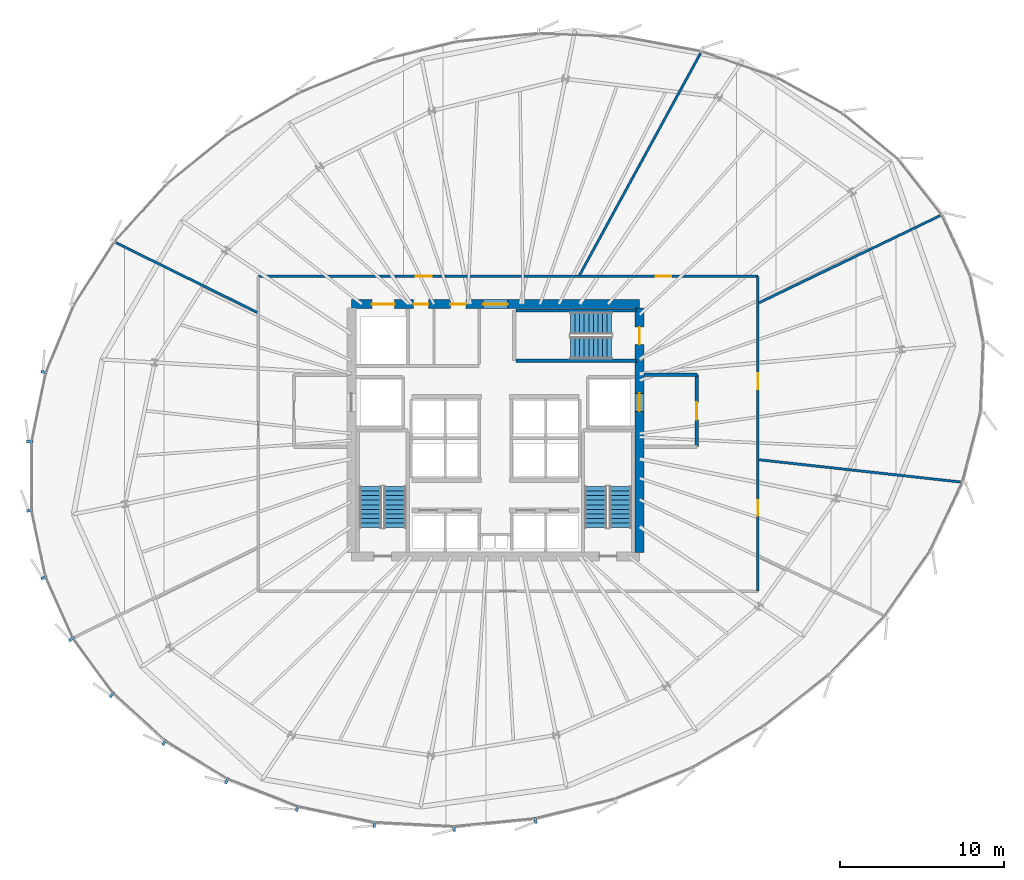
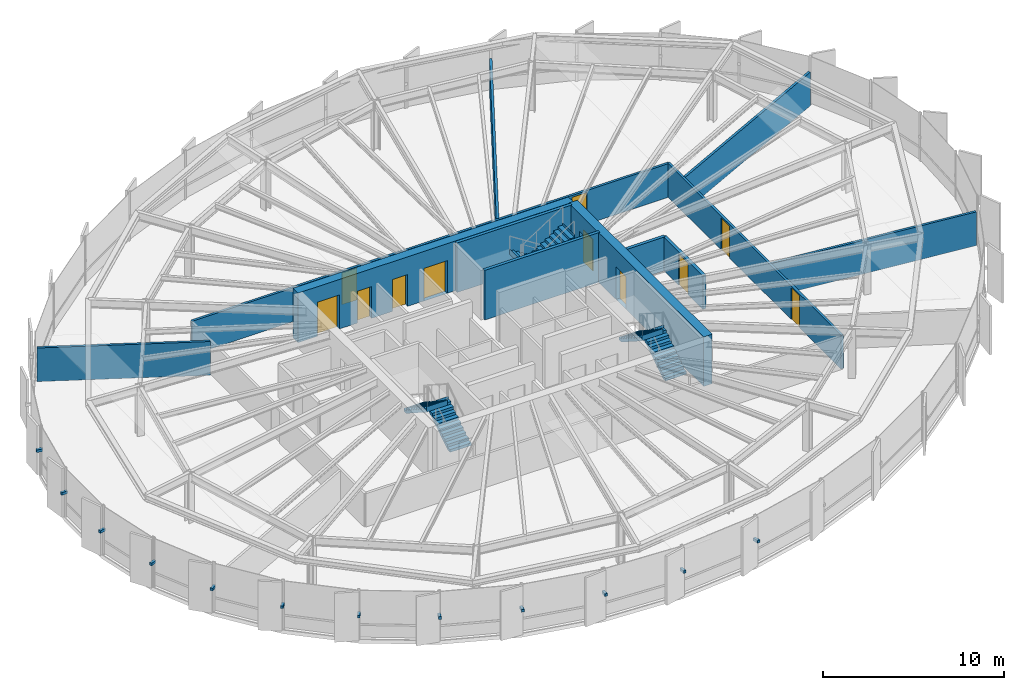
# One storey, part 30 of 35: 12 discrete accessories, 12 walls, 11 doors, 6 stair flights, 11 openings, 3 elements without a shape of their own.
"""IFC4 building model written with IfcOpenShell, lengths in metres."""

from ifc_helpers import new_model, si_unit, direction, frame, frame_2d, origin, origin_2d, place, context, subcontext, project, spatial, polyline, rectangle, outline, extrude, source, transform, mapped, material, layer, layer_set, type_object, element, fill, aggregate, save


model = new_model("IFC4")

# Units and contexts
model_context = context("Model", 3, precision=1e-05, world=origin(), true_north=direction((0.0, 1.0)))
body_context = subcontext(model_context, "Body", "Model", "MODEL_VIEW")
ifc_project = project(units=[si_unit("LENGTHUNIT", "METRE"), si_unit("AREAUNIT", "SQUARE_METRE"), si_unit("VOLUMEUNIT", "CUBIC_METRE"), si_unit("PLANEANGLEUNIT", "RADIAN"), si_unit("MASSUNIT", "GRAM", prefix="KILO"), si_unit("THERMODYNAMICTEMPERATUREUNIT", "KELVIN")], contexts=[model_context])

# Site, building, storey
site_placement = place(None, origin())
site = spatial("IfcSite", under=ifc_project, at=site_placement, CompositionType="ELEMENT")
building_placement = place(site_placement, origin())
building = spatial("IfcBuilding", under=site, at=building_placement, Name="Kethvar Cultural Tower", CompositionType="ELEMENT")
storey_placement = place(building_placement, frame((0.0, 0.0, 107.199951171875)))
storey = spatial("IfcBuildingStorey", under=building, at=storey_placement, Name="L26", CompositionType="ELEMENT", Elevation=107.199951171875)

# Wall, openings, doors
ifc_material_1 = material(Name="Concrete C60/75", Category="concrete")
ifc_layer_1 = layer(ifc_material_1, 0.550048828125, Name="Concrete C60/75", Category="concrete")
ifc_layer_set_1 = layer_set([ifc_layer_1], Name="Concrete C60/75 (550 mm)")
wall_type_1 = type_object("IfcWallType", Name="WL-CORE-550", PredefinedType="SHEAR", material=ifc_layer_set_1)
wall_1_placement = place(storey_placement, frame((55.60009765625, 35.5, 0.0), z_axis=(0.0, 0.0, 1.0), x_axis=(-1.0, 0.0, 0.0)))
wall_1 = element("IfcWall", 1, at=wall_1_placement, inside=storey, type_object=wall_type_1, Name="L26 Core Shear Wall N", PredefinedType="SHEAR", context=body_context, shape_type="SweptSolid", body=[
    extrude(rectangle(XDim=17.60009765625, YDim=0.550048828125, at=frame_2d((8.800048828125, 0.0))), origin(), (0.0, 0.0, 1.0), 3.35009765625),
])
opening_1_placement = place(wall_1_placement, frame((8.050048828125, 0.0, 0.0)))
opening_1 = element("IfcOpeningElement", 2, at=opening_1_placement, cuts=wall_1, Name="Opening D-L26-LN", PredefinedType="OPENING", context=body_context, shape_type="SweptSolid", body=[
    extrude(rectangle(XDim=1.5, YDim=2.199951171875, at=frame_2d((0.75, 1.10009765625))), frame((0.0, 0.284912109375, 0.0), z_axis=(0.0, -1.0, 0.0), x_axis=(1.0, 0.0, 0.0)), (0.0, 0.0, 1.0), 0.570068359375),
])
opening_2_placement = place(wall_1_placement, frame((14.949951171875, 0.0, 0.0)))
opening_2 = element("IfcOpeningElement", 3, at=opening_2_placement, cuts=wall_1, Name="Opening LD-G1", PredefinedType="OPENING", context=body_context, shape_type="SweptSolid", body=[
    extrude(rectangle(XDim=1.39990234375, YDim=2.300048828125, at=frame_2d((0.699951171875, 1.14990234375))), frame((0.0, 0.284912109375, 0.0), z_axis=(0.0, -1.0, 0.0), x_axis=(1.0, 0.0, 0.0)), (0.0, 0.0, 1.0), 0.570068359375),
])
opening_3_placement = place(wall_1_placement, frame((12.89990234375, 0.0, 0.0)))
opening_3 = element("IfcOpeningElement", 4, at=opening_3_placement, cuts=wall_1, Name="Opening D-L26-W1", PredefinedType="OPENING", context=body_context, shape_type="SweptSolid", body=[
    extrude(rectangle(XDim=0.89990234375, YDim=2.14990234375, at=frame_2d((0.449951171875, 1.074951171875))), frame((0.0, 0.284912109375, 0.0), z_axis=(0.0, -1.0, 0.0), x_axis=(1.0, 0.0, 0.0)), (0.0, 0.0, 1.0), 0.570068359375),
])
opening_4_placement = place(wall_1_placement, frame((10.60009765625, 0.0, 0.0)))
opening_4 = element("IfcOpeningElement", 5, at=opening_4_placement, cuts=wall_1, Name="Opening D-L26-W2", PredefinedType="OPENING", context=body_context, shape_type="SweptSolid", body=[
    extrude(rectangle(XDim=0.949951171875, YDim=2.14990234375, at=frame_2d((0.47509765625, 1.074951171875))), frame((0.0, 0.284912109375, 0.0), z_axis=(0.0, -1.0, 0.0), x_axis=(1.0, 0.0, 0.0)), (0.0, 0.0, 1.0), 0.570068359375),
])
ifc_material_2 = material(Name="Architectural Oak Timber", Category="wood")
door_type_1 = type_object("IfcDoorType", Name="DR-DBL-FD60-1500", OperationType="DOUBLE_DOOR_SINGLE_SWING", PredefinedType="DOOR", material=ifc_material_2)
shared_shape_1 = source(origin(), body_context, "Body", "SweptSolid", [
    extrude(rectangle(XDim=1.5, YDim=2.199951171875, at=frame_2d((0.75, 1.10009765625))), frame((0.0, 0.02490234375, 0.0), z_axis=(0.0, -1.0, 0.0), x_axis=(1.0, 0.0, 0.0)), (0.0, 0.0, 1.0), 0.050048828125),
])
door_1_placement = place(opening_1_placement, origin())
door_1 = element("IfcDoor", 6, at=door_1_placement, inside=storey, type_object=door_type_1, Name="L26 Lift Lobby Concourse Door", OperationType="DOUBLE_DOOR_SINGLE_SWING", OverallHeight=2.199951171875, OverallWidth=1.5, PredefinedType="DOOR", context=body_context, shape_type="MappedRepresentation", body=[
    mapped(shared_shape_1, transform((0.0, 0.0, 0.0), scale=1.0)),
])
fill(opening_1, door_1)
ifc_material_3 = material(Name="Steel S355J2", Category="steel")
door_type_2 = type_object("IfcDoorType", Name="DR-LIFT-SLIDE-1400", OperationType="NOTDEFINED", PredefinedType="DOOR", material=ifc_material_3)
shared_shape_2 = source(origin(), body_context, "Body", "SweptSolid", [
    extrude(rectangle(XDim=1.39990234375, YDim=2.300048828125, at=frame_2d((0.699951171875, 1.14990234375))), frame((0.0, 0.02490234375, 0.0), z_axis=(0.0, -1.0, 0.0), x_axis=(1.0, 0.0, 0.0)), (0.0, 0.0, 1.0), 0.050048828125),
])
door_2_placement = place(opening_2_placement, origin())
door_2 = element("IfcDoor", 7, at=door_2_placement, inside=storey, type_object=door_type_2, Name="L26 Goods Lift Landing Door", OperationType="SLIDING_TO_RIGHT", OverallHeight=2.300048828125, OverallWidth=1.39990234375, PredefinedType="DOOR", context=body_context, shape_type="MappedRepresentation", body=[
    mapped(shared_shape_2, transform((0.0, 0.0, 0.0), scale=1.0)),
])
fill(opening_2, door_2)
door_type_3 = type_object("IfcDoorType", Name="DR-FD30-950", OperationType="NOTDEFINED", PredefinedType="DOOR", material=ifc_material_2)
shared_shape_3 = source(origin(), body_context, "Body", "SweptSolid", [
    extrude(rectangle(XDim=0.949951171875, YDim=2.14990234375, at=frame_2d((0.47509765625, 1.074951171875))), frame((0.0, 0.02490234375, 0.0), z_axis=(0.0, -1.0, 0.0), x_axis=(1.0, 0.0, 0.0)), (0.0, 0.0, 1.0), 0.050048828125),
])
door_3_placement = place(opening_4_placement, origin())
door_3 = element("IfcDoor", 8, at=door_3_placement, inside=storey, type_object=door_type_3, Name="L26 Public Washroom Door", OperationType="SINGLE_SWING_RIGHT", OverallHeight=2.14990234375, OverallWidth=0.949951171875, PredefinedType="DOOR", context=body_context, shape_type="MappedRepresentation", body=[
    mapped(shared_shape_3, transform((0.0, 0.0, 0.0), scale=1.0)),
])
fill(opening_4, door_3)
door_type_4 = type_object("IfcDoorType", Name="DR-FD30-900", OperationType="NOTDEFINED", PredefinedType="DOOR", material=ifc_material_2)
shared_shape_4 = source(origin(), body_context, "Body", "SweptSolid", [
    extrude(rectangle(XDim=0.89990234375, YDim=2.14990234375, at=frame_2d((0.449951171875, 1.074951171875))), frame((0.0, 0.02490234375, 0.0), z_axis=(0.0, -1.0, 0.0), x_axis=(1.0, 0.0, 0.0)), (0.0, 0.0, 1.0), 0.050048828125),
])
door_4_placement = place(opening_3_placement, origin())
door_4 = element("IfcDoor", 9, at=door_4_placement, inside=storey, type_object=door_type_4, Name="L26 Accessible Washroom Door", OperationType="SINGLE_SWING_LEFT", OverallHeight=2.14990234375, OverallWidth=0.89990234375, PredefinedType="DOOR", context=body_context, shape_type="MappedRepresentation", body=[
    mapped(shared_shape_4, transform((0.0, 0.0, 0.0), scale=1.0)),
])
fill(opening_3, door_4)

wall_2_placement = place(storey_placement, frame((55.60009765625, 20.340087890625, 0.0), z_axis=(0.0, 0.0, 1.0), x_axis=(0.0, 1.0, 0.0)))
wall_2 = element("IfcWall", 10, at=wall_2_placement, inside=storey, type_object=wall_type_1, Name="L26 Core Shear Wall E", PredefinedType="SHEAR", context=body_context, shape_type="SweptSolid", body=[
    extrude(rectangle(XDim=14.919921875, YDim=0.550048828125, at=frame_2d((7.4599609375, 0.0))), origin(), (0.0, 0.0, 1.0), 3.35009765625),
])
opening_5_placement = place(wall_2_placement, frame((12.7099609375, 0.0, 0.0)))
opening_5 = element("IfcOpeningElement", 11, at=opening_5_placement, cuts=wall_2, Name="Opening D-L26-S3", PredefinedType="OPENING", context=body_context, shape_type="SweptSolid", body=[
    extrude(rectangle(XDim=1.050048828125, YDim=2.14990234375, at=frame_2d((0.52490234375, 1.074951171875))), frame((0.0, 0.284912109375, 0.0), z_axis=(0.0, -1.0, 0.0), x_axis=(1.0, 0.0, 0.0)), (0.0, 0.0, 1.0), 0.570068359375),
])
opening_6_placement = place(wall_2_placement, frame((8.610107421875, 0.0, 0.0)))
opening_6 = element("IfcOpeningElement", 12, at=opening_6_placement, cuts=wall_2, Name="Opening LD-2", PredefinedType="OPENING", context=body_context, shape_type="SweptSolid", body=[
    extrude(rectangle(XDim=1.10009765625, YDim=2.199951171875, at=frame_2d((0.550048828125, 1.10009765625))), frame((0.0, 0.284912109375, 0.0), z_axis=(0.0, -1.0, 0.0), x_axis=(1.0, 0.0, 0.0)), (0.0, 0.0, 1.0), 0.570068359375),
])
door_type_5 = type_object("IfcDoorType", Name="DR-FD60-1050", OperationType="NOTDEFINED", PredefinedType="DOOR", material=ifc_material_3)
shared_shape_5 = source(origin(), body_context, "Body", "SweptSolid", [
    extrude(rectangle(XDim=1.050048828125, YDim=2.14990234375, at=frame_2d((0.52490234375, 1.074951171875))), frame((0.0, 0.02490234375, 0.0), z_axis=(0.0, -1.0, 0.0), x_axis=(1.0, 0.0, 0.0)), (0.0, 0.0, 1.0), 0.050048828125),
])
door_5_placement = place(opening_5_placement, origin())
door_5 = element("IfcDoor", 13, at=door_5_placement, inside=storey, type_object=door_type_5, Name="L26 Exit Stair 3 Door", OperationType="SINGLE_SWING_LEFT", OverallHeight=2.14990234375, OverallWidth=1.050048828125, PredefinedType="DOOR", context=body_context, shape_type="MappedRepresentation", body=[
    mapped(shared_shape_5, transform((0.0, 0.0, 0.0), scale=1.0)),
])
fill(opening_5, door_5)
door_type_6 = type_object("IfcDoorType", Name="DR-LIFT-SLIDE-1100", OperationType="NOTDEFINED", PredefinedType="DOOR", material=ifc_material_3)
shared_shape_6 = source(origin(), body_context, "Body", "SweptSolid", [
    extrude(rectangle(XDim=1.10009765625, YDim=2.199951171875, at=frame_2d((0.550048828125, 1.10009765625))), frame((0.0, 0.02490234375, 0.0), z_axis=(0.0, -1.0, 0.0), x_axis=(1.0, 0.0, 0.0)), (0.0, 0.0, 1.0), 0.050048828125),
])
door_6_placement = place(opening_6_placement, origin())
door_6 = element("IfcDoor", 14, at=door_6_placement, inside=storey, type_object=door_type_6, Name="L26 Firefighting Lift Landing Door FFL-02", OperationType="SLIDING_TO_RIGHT", OverallHeight=2.199951171875, OverallWidth=1.10009765625, PredefinedType="DOOR", context=body_context, shape_type="MappedRepresentation", body=[
    mapped(shared_shape_6, transform((0.0, 0.0, 0.0), scale=1.0)),
])
fill(opening_6, door_6)

ifc_material_4 = material(Name="Gypsum Fireboard Partition")
ifc_layer_2 = layer(ifc_material_4, 0.14990234375, Name="Gypsum Fireboard Partition")
ifc_layer_set_2 = layer_set([ifc_layer_2], Name="Gypsum Fireboard Partition (150 mm)")
wall_type_2 = type_object("IfcWallType", Name="WL-FIRE-150", PredefinedType="PARTITIONING", material=ifc_layer_set_2)
wall_3_placement = place(storey_placement, frame((62.830078125, 17.97998046875, 0.0), z_axis=(0.0, 0.0, 1.0), x_axis=(0.0, 1.0, 0.0)))
wall_3 = element("IfcWall", 15, at=wall_3_placement, inside=storey, type_object=wall_type_2, Name="L26 Corridor Rated Wall E", PredefinedType="PARTITIONING", context=body_context, shape_type="SweptSolid", body=[
    extrude(rectangle(XDim=19.219970703125, YDim=0.14990234375, at=frame_2d((9.60986328125, 0.0))), origin(), (0.0, 0.0, 1.0), 2.280029296875),
])
opening_7_placement = place(wall_3_placement, frame((4.60595703125, 0.0, 0.0)))
opening_7 = element("IfcOpeningElement", 16, at=opening_7_placement, cuts=wall_3, Name="Opening D-L26-02", PredefinedType="OPENING", context=body_context, shape_type="SweptSolid", body=[
    extrude(rectangle(XDim=0.949951171875, YDim=2.14990234375, at=frame_2d((0.47509765625, 1.074951171875))), frame((0.0, 0.0849609375, 0.0), z_axis=(0.0, -1.0, 0.0), x_axis=(1.0, 0.0, 0.0)), (0.0, 0.0, 1.0), 0.169921875),
])
opening_8_placement = place(wall_3_placement, frame((12.340087890625, 0.0, 0.0)))
opening_8 = element("IfcOpeningElement", 17, at=opening_8_placement, cuts=wall_3, Name="Opening D-L26-03", PredefinedType="OPENING", context=body_context, shape_type="SweptSolid", body=[
    extrude(rectangle(XDim=0.949951171875, YDim=2.14990234375, at=frame_2d((0.47509765625, 1.074951171875))), frame((0.0, 0.0849609375, 0.0), z_axis=(0.0, -1.0, 0.0), x_axis=(1.0, 0.0, 0.0)), (0.0, 0.0, 1.0), 0.169921875),
])
door_7_placement = place(opening_7_placement, origin())
door_7 = element("IfcDoor", 18, at=door_7_placement, inside=storey, type_object=door_type_3, Name="L26 Curatorial Concierge Foyer 02 Door", OperationType="SINGLE_SWING_RIGHT", OverallHeight=2.14990234375, OverallWidth=0.949951171875, PredefinedType="DOOR", context=body_context, shape_type="MappedRepresentation", body=[
    mapped(shared_shape_3, transform((0.0, 0.0, 0.0), scale=1.0)),
])
fill(opening_7, door_7)
door_8_placement = place(opening_8_placement, origin())
door_8 = element("IfcDoor", 19, at=door_8_placement, inside=storey, type_object=door_type_3, Name="L26 Cartography Reading Library 03 Door", OperationType="SINGLE_SWING_LEFT", OverallHeight=2.14990234375, OverallWidth=0.949951171875, PredefinedType="DOOR", context=body_context, shape_type="MappedRepresentation", body=[
    mapped(shared_shape_3, transform((0.0, 0.0, 0.0), scale=1.0)),
])
fill(opening_8, door_8)

wall_4_placement = place(storey_placement, frame((62.830078125, 37.199951171875, 0.0), z_axis=(0.0, 0.0, 1.0), x_axis=(-1.0, 0.0, 0.0)))
wall_4 = element("IfcWall", 20, at=wall_4_placement, inside=storey, type_object=wall_type_2, Name="L26 Corridor Rated Wall N", PredefinedType="PARTITIONING", context=body_context, shape_type="SweptSolid", body=[
    extrude(rectangle(XDim=30.5, YDim=0.14990234375, at=frame_2d((15.25, 0.0))), origin(), (0.0, 0.0, 1.0), 2.280029296875),
])
opening_9_placement = place(wall_4_placement, frame((5.28125, 0.0, 0.0)))
opening_9 = element("IfcOpeningElement", 21, at=opening_9_placement, cuts=wall_4, Name="Opening D-L26-04", PredefinedType="OPENING", context=body_context, shape_type="SweptSolid", body=[
    extrude(rectangle(XDim=0.949951171875, YDim=2.14990234375, at=frame_2d((0.47509765625, 1.074951171875))), frame((0.0, 0.0849609375, 0.0), z_axis=(0.0, -1.0, 0.0), x_axis=(1.0, 0.0, 0.0)), (0.0, 0.0, 1.0), 0.169921875),
])
opening_10_placement = place(wall_4_placement, frame((19.931884765625, 0.0, 0.0)))
opening_10 = element("IfcOpeningElement", 22, at=opening_10_placement, cuts=wall_4, Name="Opening D-L26-05", PredefinedType="OPENING", context=body_context, shape_type="SweptSolid", body=[
    extrude(rectangle(XDim=0.949951171875, YDim=2.14990234375, at=frame_2d((0.47509765625, 1.074951171875))), frame((0.0, 0.0849609375, 0.0), z_axis=(0.0, -1.0, 0.0), x_axis=(1.0, 0.0, 0.0)), (0.0, 0.0, 1.0), 0.169921875),
])
door_9_placement = place(opening_9_placement, origin())
door_9 = element("IfcDoor", 23, at=door_9_placement, inside=storey, type_object=door_type_3, Name="L26 Hospitality Sitting Lounge 04 Door", OperationType="SINGLE_SWING_RIGHT", OverallHeight=2.14990234375, OverallWidth=0.949951171875, PredefinedType="DOOR", context=body_context, shape_type="MappedRepresentation", body=[
    mapped(shared_shape_3, transform((0.0, 0.0, 0.0), scale=1.0)),
])
fill(opening_9, door_9)
door_10_placement = place(opening_10_placement, origin())
door_10 = element("IfcDoor", 24, at=door_10_placement, inside=storey, type_object=door_type_3, Name="L26 Colloquium Seminar Room 05 Door", OperationType="SINGLE_SWING_LEFT", OverallHeight=2.14990234375, OverallWidth=0.949951171875, PredefinedType="DOOR", context=body_context, shape_type="MappedRepresentation", body=[
    mapped(shared_shape_3, transform((0.0, 0.0, 0.0), scale=1.0)),
])
fill(opening_10, door_10)

# Wall, opening, door
ifc_material_5 = material(Name="Concrete C40/50", Category="concrete")
ifc_layer_3 = layer(ifc_material_5, 0.199951171875, Name="Concrete C40/50", Category="concrete")
ifc_layer_set_3 = layer_set([ifc_layer_3], Name="Concrete C40/50 (200 mm)")
wall_type_3 = type_object("IfcWallType", Name="WL-FIRE-200", PredefinedType="PARTITIONING", material=ifc_layer_set_3)
wall_5_placement = place(storey_placement, frame((59.10009765625, 26.800048828125, 0.0), z_axis=(0.0, 0.0, 1.0), x_axis=(0.0, 1.0, 0.0)))
wall_5 = element("IfcWall", 25, at=wall_5_placement, inside=storey, type_object=wall_type_3, Name="L26 Firefighting Lobby 2 Wall", PredefinedType="PARTITIONING", context=body_context, shape_type="SweptSolid", body=[
    extrude(rectangle(XDim=4.39990234375, YDim=0.199951171875, at=frame_2d((2.199951171875, 0.0))), origin(), (0.0, 0.0, 1.0), 2.280029296875),
])
opening_11_placement = place(wall_5_placement, frame((1.64990234375, 0.0, 0.0)))
opening_11 = element("IfcOpeningElement", 26, at=opening_11_placement, cuts=wall_5, Name="Opening D-L26-F2", PredefinedType="OPENING", context=body_context, shape_type="SweptSolid", body=[
    extrude(rectangle(XDim=1.050048828125, YDim=2.14990234375, at=frame_2d((0.52490234375, 1.074951171875))), frame((0.0, 0.10986328125, 0.0), z_axis=(0.0, -1.0, 0.0), x_axis=(1.0, 0.0, 0.0)), (0.0, 0.0, 1.0), 0.219970703125),
])
door_11_placement = place(opening_11_placement, origin())
door_11 = element("IfcDoor", 27, at=door_11_placement, inside=storey, type_object=door_type_5, Name="L26 Firefighting Lobby 2 Fire Door", OperationType="SINGLE_SWING_LEFT", OverallHeight=2.14990234375, OverallWidth=1.050048828125, PredefinedType="DOOR", context=body_context, shape_type="MappedRepresentation", body=[
    mapped(shared_shape_5, transform((0.0, 0.0, 0.0), scale=1.0)),
])
fill(opening_11, door_11)

# Walls
wall_6_placement = place(storey_placement, frame((55.885009765625, 31.199951171875, 0.0), z_axis=(0.0, 0.0, 1.0), x_axis=(1.0, 0.0, 0.0)))
element("IfcWall", 28, at=wall_6_placement, inside=storey, type_object=wall_type_3, Name="L26 FF Lobby 2 North Wall", PredefinedType="PARTITIONING", context=body_context, shape_type="SweptSolid", body=[
    extrude(rectangle(XDim=3.215087890625, YDim=0.199951171875, at=frame_2d((1.607421875, 0.0))), origin(), (0.0, 0.0, 1.0), 2.280029296875),
])
ifc_material_6 = material(Name="Gypsum Acoustic Partition")
ifc_layer_4 = layer(ifc_material_6, 0.14990234375, Name="Gypsum Acoustic Partition")
ifc_layer_set_4 = layer_set([ifc_layer_4], Name="Gypsum Acoustic Partition (150 mm)")
wall_type_4 = type_object("IfcWallType", Name="WL-PART-150", PredefinedType="PARTITIONING", material=ifc_layer_set_4)
wall_7_placement = place(storey_placement, frame((62.909423828125, 25.99951171875, 0.0), z_axis=(0.0, 0.0, 1.0), x_axis=(0.993956010133, -0.109779096009, 0.0)))
element("IfcWall", 29, at=wall_7_placement, inside=storey, type_object=wall_type_4, Name="L26 Radial Partition Wall 03", PredefinedType="PARTITIONING", context=body_context, shape_type="SweptSolid", body=[
    extrude(rectangle(XDim=12.36279296875, YDim=0.14990234375, at=frame_2d((6.181396484375, 0.0))), origin(), (0.0, 0.0, 1.0), 2.280029296875),
])
wall_8_placement = place(storey_placement, frame((62.902099609375, 35.587158203125, 0.0), z_axis=(0.0, 0.0, 1.0), x_axis=(0.901117147689, 0.433575698283, 0.0)))
element("IfcWall", 30, at=wall_8_placement, inside=storey, type_object=wall_type_4, Name="L26 Radial Partition Wall 04", PredefinedType="PARTITIONING", context=body_context, shape_type="SweptSolid", body=[
    extrude(rectangle(XDim=12.269775390625, YDim=0.14990234375, at=frame_2d((6.134765625, 0.0))), origin(), (0.0, 0.0, 1.0), 2.280029296875),
])
wall_9_placement = place(storey_placement, frame((51.935791015625, 37.270263671875, 0.0), z_axis=(0.0, 0.0, 1.0), x_axis=(0.47870484944, 0.877975892108, 0.0)))
element("IfcWall", 31, at=wall_9_placement, inside=storey, type_object=wall_type_4, Name="L26 Radial Partition Wall 05", PredefinedType="PARTITIONING", context=body_context, shape_type="SweptSolid", body=[
    extrude(rectangle(XDim=15.447509765625, YDim=0.14990234375, at=frame_2d((7.7236328125, 0.0))), origin(), (0.0, 0.0, 1.0), 2.280029296875),
])
wall_10_placement = place(storey_placement, frame((32.25830078125, 34.9970703125, 0.0), z_axis=(0.0, 0.0, 1.0), x_axis=(-0.896802793209, 0.442430503121, 0.0)))
element("IfcWall", 32, at=wall_10_placement, inside=storey, type_object=wall_type_4, Name="L26 Radial Partition Wall 06", PredefinedType="PARTITIONING", context=body_context, shape_type="SweptSolid", body=[
    extrude(rectangle(XDim=9.60888671875, YDim=0.14990234375, at=frame_2d((4.804443359375, 0.0))), origin(), (0.0, 0.0, 1.0), 2.280029296875),
])
ifc_material_7 = material(Name="Concrete C50/60", Category="concrete")
ifc_layer_5 = layer(ifc_material_7, 0.199951171875, Name="Concrete C50/60", Category="concrete")
ifc_layer_set_5 = layer_set([ifc_layer_5], Name="Concrete C50/60 (200 mm)")
wall_type_5 = type_object("IfcWallType", Name="WL-STSHAFT-200", PredefinedType="SHEAR", material=ifc_layer_set_5)
for number, where, z_axis, x_axis, name in (
    (33, (48.050048828125, 35.110107421875, 0.0), (0.0, 0.0, 1.0), (1.0, 0.0, 0.0), "L26 ST-03 Stair Shaft Wall LEFT"),
    (34, (55.39990234375, 32.050048828125, 0.0), (0.0, 0.0, 1.0), (-1.0, 0.0, 0.0), "L26 ST-03 Stair Shaft Wall RIGHT"),
):
    element("IfcWall", number, at=place(storey_placement, frame(where, z_axis=z_axis, x_axis=x_axis)), inside=storey, type_object=wall_type_5, Name=name, PredefinedType="SHEAR", context=body_context, shape_type="SweptSolid", body=[
        extrude(rectangle(XDim=7.349853515625, YDim=0.199951171875, at=frame_2d((3.6748046875, 0.0))), origin(), (0.0, 0.0, 1.0), 3.35009765625),
    ])

# Stair, stair flights
stair_type = type_object("IfcStairType", Name="ST-DOGLEG-135", PredefinedType="HALF_TURN_STAIR", material=ifc_material_5)
stair_1_placement = place(storey_placement, origin())
stair_1 = element("IfcStair", 35, at=stair_1_placement, inside=storey, type_object=stair_type, Name="L26 Core Exit Stair 1", PredefinedType="HALF_TURN_STAIR")
stair_flight_type = type_object("IfcStairFlightType", Name="FL-STRAIGHT-135", PredefinedType="STRAIGHT", material=ifc_material_5)
stair_flight_1_placement = place(storey_placement, frame((40.675048828125, 21.85009765625, 0.0), z_axis=(0.0, 0.0, 1.0), x_axis=(0.0, 1.0, 0.0)))
stair_flight_1 = element("IfcStairFlight", 36, at=stair_flight_1_placement, type_object=stair_flight_type, Name="ST-01 flight 1", NumberOfRisers=10, NumberOfTreads=9, PredefinedType="STRAIGHT", RiserHeight=0.18, TreadLength=0.28, context=body_context, shape_type="SweptSolid", body=[
    extrude(outline(polyline([(-0.0009765625, -0.0009765625), (-0.0009765625, 0.179931640625), (0.280029296875, 0.179931640625), (0.280029296875, 0.360107421875), (0.56005859375, 0.360107421875), (0.56005859375, 0.5400390625), (0.840087890625, 0.5400390625), (0.840087890625, 0.719970703125), (1.1201171875, 0.719970703125), (1.1201171875, 0.89990234375), (1.39990234375, 0.89990234375), (1.39990234375, 1.080078125), (1.679931640625, 1.080078125), (1.679931640625, 1.260009765625), (1.9599609375, 1.260009765625), (1.9599609375, 1.43994140625), (2.239990234375, 1.43994140625), (2.239990234375, 1.6201171875), (2.52001953125, 1.6201171875), (2.52001953125, 1.800048828125), (2.52099609375, 1.800048828125), (2.52099609375, 1.44189453125), (0.277099609375, 0.0), (0.0, -0.0009765625), (-0.0009765625, -0.0009765625)])), frame((0.0, 0.675048828125, 0.0), z_axis=(0.0, -1.0, 0.0), x_axis=(1.0, 0.0, 0.0)), (0.0, 0.0, 1.0), 1.35009765625),
])
stair_flight_2_placement = place(storey_placement, frame((39.1650390625, 24.3701171875, 1.800048828125), z_axis=(0.0, 0.0, 1.0), x_axis=(0.0, -1.0, 0.0)))
stair_flight_2 = element("IfcStairFlight", 37, at=stair_flight_2_placement, type_object=stair_flight_type, Name="ST-01 flight 2", NumberOfRisers=10, NumberOfTreads=9, PredefinedType="STRAIGHT", RiserHeight=0.18, TreadLength=0.28, context=body_context, shape_type="SweptSolid", body=[
    extrude(outline(polyline([(-0.0009765625, -0.0009765625), (-0.0009765625, 0.179931640625), (0.280029296875, 0.179931640625), (0.280029296875, 0.360107421875), (0.56005859375, 0.360107421875), (0.56005859375, 0.5400390625), (0.840087890625, 0.5400390625), (0.840087890625, 0.719970703125), (1.1201171875, 0.719970703125), (1.1201171875, 0.89990234375), (1.39990234375, 0.89990234375), (1.39990234375, 1.080078125), (1.679931640625, 1.080078125), (1.679931640625, 1.260009765625), (1.9599609375, 1.260009765625), (1.9599609375, 1.43994140625), (2.239990234375, 1.43994140625), (2.239990234375, 1.6201171875), (2.52001953125, 1.6201171875), (2.52001953125, 1.800048828125), (2.52099609375, 1.800048828125), (2.52099609375, 1.44189453125), (0.277099609375, 0.0), (0.0, -0.0009765625), (-0.0009765625, -0.0009765625)])), frame((0.0, 0.675048828125, 0.0), z_axis=(0.0, -1.0, 0.0), x_axis=(1.0, 0.0, 0.0)), (0.0, 0.0, 1.0), 1.35009765625),
])
aggregate(stair_1, [stair_flight_1, stair_flight_2])

stair_2_placement = place(storey_placement, origin())
stair_2 = element("IfcStair", 38, at=stair_2_placement, inside=storey, type_object=stair_type, Name="L26 Core Exit Stair 2", PredefinedType="HALF_TURN_STAIR")
stair_flight_3_placement = place(storey_placement, frame((54.43505859375, 21.85009765625, 0.0), z_axis=(0.0, 0.0, 1.0), x_axis=(0.0, 1.0, 0.0)))
stair_flight_3 = element("IfcStairFlight", 39, at=stair_flight_3_placement, type_object=stair_flight_type, Name="ST-02 flight 1", NumberOfRisers=10, NumberOfTreads=9, PredefinedType="STRAIGHT", RiserHeight=0.18, TreadLength=0.28, context=body_context, shape_type="SweptSolid", body=[
    extrude(outline(polyline([(-0.0009765625, -0.0009765625), (-0.0009765625, 0.179931640625), (0.280029296875, 0.179931640625), (0.280029296875, 0.360107421875), (0.56005859375, 0.360107421875), (0.56005859375, 0.5400390625), (0.840087890625, 0.5400390625), (0.840087890625, 0.719970703125), (1.1201171875, 0.719970703125), (1.1201171875, 0.89990234375), (1.39990234375, 0.89990234375), (1.39990234375, 1.080078125), (1.679931640625, 1.080078125), (1.679931640625, 1.260009765625), (1.9599609375, 1.260009765625), (1.9599609375, 1.43994140625), (2.239990234375, 1.43994140625), (2.239990234375, 1.6201171875), (2.52001953125, 1.6201171875), (2.52001953125, 1.800048828125), (2.52099609375, 1.800048828125), (2.52099609375, 1.44189453125), (0.277099609375, 0.0), (0.0, -0.0009765625), (-0.0009765625, -0.0009765625)])), frame((0.0, 0.675048828125, 0.0), z_axis=(0.0, -1.0, 0.0), x_axis=(1.0, 0.0, 0.0)), (0.0, 0.0, 1.0), 1.35009765625),
])
stair_flight_4_placement = place(storey_placement, frame((52.925048828125, 24.3701171875, 1.800048828125), z_axis=(0.0, 0.0, 1.0), x_axis=(0.0, -1.0, 0.0)))
stair_flight_4 = element("IfcStairFlight", 40, at=stair_flight_4_placement, type_object=stair_flight_type, Name="ST-02 flight 2", NumberOfRisers=10, NumberOfTreads=9, PredefinedType="STRAIGHT", RiserHeight=0.18, TreadLength=0.28, context=body_context, shape_type="SweptSolid", body=[
    extrude(outline(polyline([(-0.0009765625, -0.0009765625), (-0.0009765625, 0.179931640625), (0.280029296875, 0.179931640625), (0.280029296875, 0.360107421875), (0.56005859375, 0.360107421875), (0.56005859375, 0.5400390625), (0.840087890625, 0.5400390625), (0.840087890625, 0.719970703125), (1.1201171875, 0.719970703125), (1.1201171875, 0.89990234375), (1.39990234375, 0.89990234375), (1.39990234375, 1.080078125), (1.679931640625, 1.080078125), (1.679931640625, 1.260009765625), (1.9599609375, 1.260009765625), (1.9599609375, 1.43994140625), (2.239990234375, 1.43994140625), (2.239990234375, 1.6201171875), (2.52001953125, 1.6201171875), (2.52001953125, 1.800048828125), (2.52099609375, 1.800048828125), (2.52099609375, 1.44189453125), (0.277099609375, 0.0), (0.0, -0.0009765625), (-0.0009765625, -0.0009765625)])), frame((0.0, 0.675048828125, 0.0), z_axis=(0.0, -1.0, 0.0), x_axis=(1.0, 0.0, 0.0)), (0.0, 0.0, 1.0), 1.35009765625),
])
aggregate(stair_2, [stair_flight_3, stair_flight_4])

stair_3_placement = place(storey_placement, origin())
stair_3 = element("IfcStair", 41, at=stair_3_placement, inside=storey, type_object=stair_type, Name="L26 Core Exit Stair 3", PredefinedType="HALF_TURN_STAIR")
stair_flight_5_placement = place(storey_placement, frame((53.89990234375, 34.3349609375, 0.0), z_axis=(0.0, 0.0, 1.0), x_axis=(-1.0, 0.0, 0.0)))
stair_flight_5 = element("IfcStairFlight", 42, at=stair_flight_5_placement, type_object=stair_flight_type, Name="ST-03 flight 1", NumberOfRisers=10, NumberOfTreads=9, PredefinedType="STRAIGHT", RiserHeight=0.18, TreadLength=0.28, context=body_context, shape_type="SweptSolid", body=[
    extrude(outline(polyline([(-0.0009765625, -0.0009765625), (-0.0009765625, 0.179931640625), (0.280029296875, 0.179931640625), (0.280029296875, 0.360107421875), (0.56005859375, 0.360107421875), (0.56005859375, 0.5400390625), (0.840087890625, 0.5400390625), (0.840087890625, 0.719970703125), (1.1201171875, 0.719970703125), (1.1201171875, 0.89990234375), (1.39990234375, 0.89990234375), (1.39990234375, 1.080078125), (1.679931640625, 1.080078125), (1.679931640625, 1.260009765625), (1.9599609375, 1.260009765625), (1.9599609375, 1.43994140625), (2.239990234375, 1.43994140625), (2.239990234375, 1.6201171875), (2.52001953125, 1.6201171875), (2.52001953125, 1.800048828125), (2.52099609375, 1.800048828125), (2.52099609375, 1.44189453125), (0.277099609375, 0.0), (0.0, -0.0009765625), (-0.0009765625, -0.0009765625)])), frame((0.0, 0.675048828125, 0.0), z_axis=(0.0, -1.0, 0.0), x_axis=(1.0, 0.0, 0.0)), (0.0, 0.0, 1.0), 1.35009765625),
])
stair_flight_6_placement = place(storey_placement, frame((51.3798828125, 32.824951171875, 1.800048828125), z_axis=(0.0, 0.0, 1.0), x_axis=(1.0, 0.0, 0.0)))
stair_flight_6 = element("IfcStairFlight", 43, at=stair_flight_6_placement, type_object=stair_flight_type, Name="ST-03 flight 2", NumberOfRisers=10, NumberOfTreads=9, PredefinedType="STRAIGHT", RiserHeight=0.18, TreadLength=0.28, context=body_context, shape_type="SweptSolid", body=[
    extrude(outline(polyline([(-0.0009765625, -0.0009765625), (-0.0009765625, 0.179931640625), (0.280029296875, 0.179931640625), (0.280029296875, 0.360107421875), (0.56005859375, 0.360107421875), (0.56005859375, 0.5400390625), (0.840087890625, 0.5400390625), (0.840087890625, 0.719970703125), (1.1201171875, 0.719970703125), (1.1201171875, 0.89990234375), (1.39990234375, 0.89990234375), (1.39990234375, 1.080078125), (1.679931640625, 1.080078125), (1.679931640625, 1.260009765625), (1.9599609375, 1.260009765625), (1.9599609375, 1.43994140625), (2.239990234375, 1.43994140625), (2.239990234375, 1.6201171875), (2.52001953125, 1.6201171875), (2.52001953125, 1.800048828125), (2.52099609375, 1.800048828125), (2.52099609375, 1.44189453125), (0.277099609375, 0.0), (0.0, -0.0009765625), (-0.0009765625, -0.0009765625)])), frame((0.0, 0.675048828125, 0.0), z_axis=(0.0, -1.0, 0.0), x_axis=(1.0, 0.0, 0.0)), (0.0, 0.0, 1.0), 1.35009765625),
])
aggregate(stair_3, [stair_flight_5, stair_flight_6])

# Discrete accessories
discrete_accessory_type = type_object("IfcDiscreteAccessoryType", Name="Steel Fin Bracket BRK-01", PredefinedType="BRACKET", material=ifc_material_3)
shared_shape_7 = source(origin(), body_context, "Body", "SweptSolid", [
    extrude(rectangle(XDim=0.3798828125, YDim=0.159912109375, at=origin_2d()), origin(), (0.0, 0.0, 1.0), 0.179931640625),
])
for number, where, z_axis, x_axis, name in (
    (44, (19.239013671875, 31.34521484375, 1.5849609375), (0.0, 0.0, 1.0), (-0.979469831173, 0.20159079796, 0.0), "L26 Terracotta Fin Bracket 3.4"),
    (45, (18.367919921875, 27.1123046875, 1.5849609375), (0.0, 0.0, 1.0), (-0.999998476913, 0.001745328366, 0.0), "L26 Terracotta Fin Bracket 3.5"),
    (46, (18.360595703125, 22.900146484375, 1.5849609375), (0.0, 0.0, 1.0), (-0.978472980779, -0.206374964291, 0.0), "L26 Terracotta Fin Bracket 3.6"),
    (47, (19.233642578125, 18.80126953125, 1.5849609375), (0.0, 0.0, 1.0), (-0.912905430439, -0.408171134544, 0.0), "L26 Terracotta Fin Bracket 4.1"),
    (48, (20.9130859375, 15.046142578125, 1.5849609375), (0.0, 0.0, 1.0), (-0.807989883898, -0.589196357353, 0.0), "L26 Terracotta Fin Bracket 4.2"),
    (49, (23.39501953125, 11.642822265625, 1.5849609375), (0.0, 0.0, 1.0), (-0.673915640857, -0.738808303288, 0.0), "L26 Terracotta Fin Bracket 4.3"),
    (50, (26.587890625, 8.73095703125, 1.5849609375), (0.0, 0.0, 1.0), (-0.522498564716, -0.852640164354, 0.0), "L26 Terracotta Fin Bracket 4.4"),
    (51, (30.39501953125, 6.398193359375, 1.5849609375), (0.0, 0.0, 1.0), (-0.363901585079, -0.931437403359, 0.0), "L26 Terracotta Fin Bracket 4.5"),
    (52, (34.700439453125, 4.716064453125, 1.5849609375), (0.0, 0.0, 1.0), (-0.205521007059, -0.978652704312, 0.0), "L26 Terracotta Fin Bracket 4.6"),
    (53, (39.412353515625, 3.733154296875, 1.5849609375), (0.0, 0.0, 1.0), (-0.050941555809, -0.998701636071, 0.0), "L26 Terracotta Fin Bracket 5.1"),
    (54, (44.27197265625, 3.4853515625, 1.5849609375), (0.0, 0.0, 1.0), (0.097756598221, -0.995210353395, 0.0), "L26 Terracotta Fin Bracket 5.2"),
    (55, (49.247314453125, 3.974365234375, 1.5849609375), (0.0, 0.0, 1.0), (0.240228042477, -0.970716481578, 0.0), "L26 Terracotta Fin Bracket 5.3"),
):
    element("IfcDiscreteAccessory", number, at=place(storey_placement, frame(where, z_axis=z_axis, x_axis=x_axis)), inside=storey, type_object=discrete_accessory_type, Name=name, PredefinedType="BRACKET", context=body_context, shape_type="MappedRepresentation", body=[
        mapped(shared_shape_7, transform((0.0, 0.0, 0.0), scale=1.0)),
    ])

save(model, "model.ifc")
